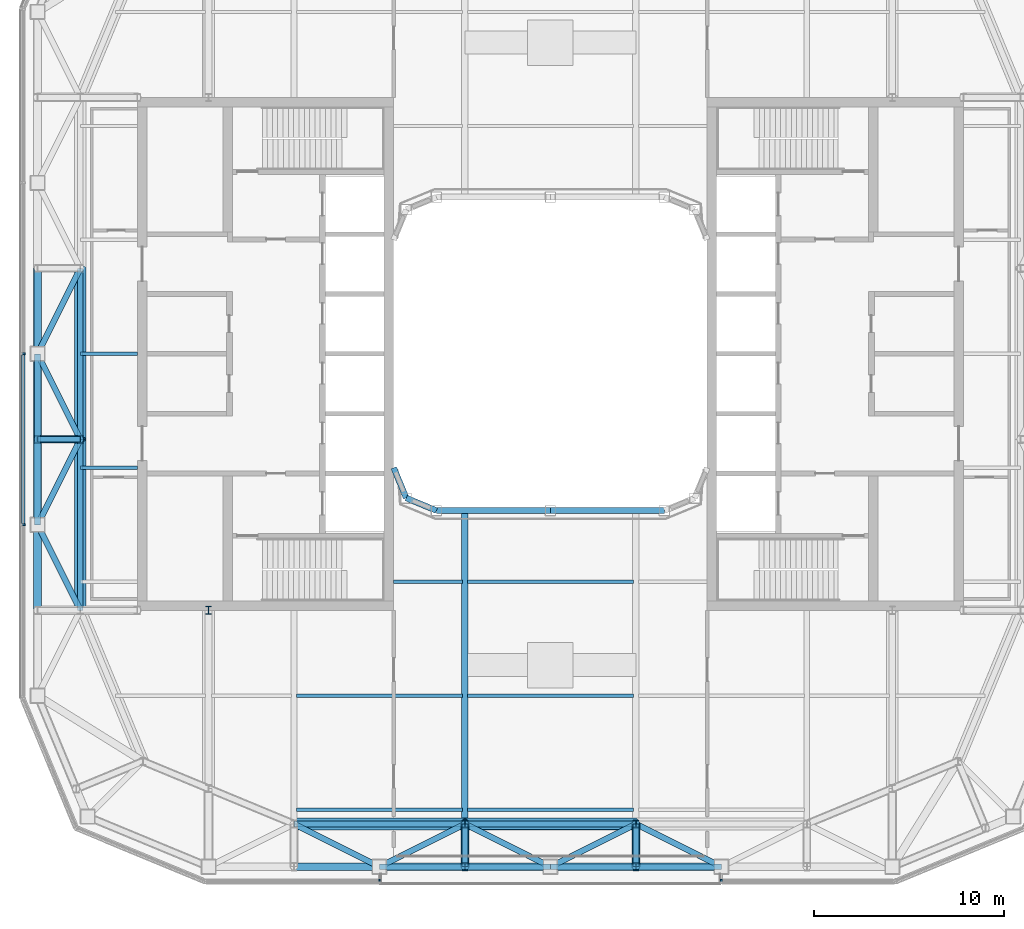
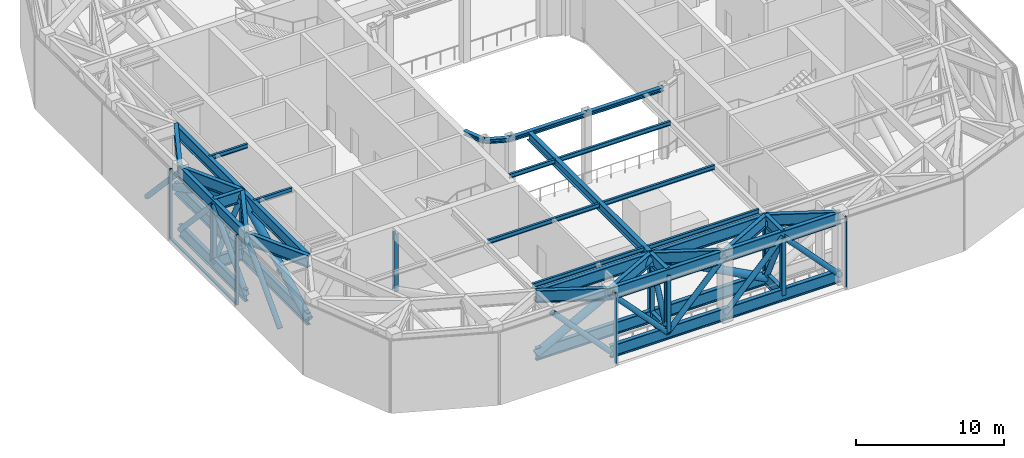
# One storey, part 3 of 21: 42 beams, 28 members, 3 elements without a shape of their own.
"""IFC4 building model written with IfcOpenShell, lengths in metres."""

from ifc_helpers import new_model, si_unit, direction, frame, origin, origin_2d, place, context, subcontext, project, spatial, rectangle, hollow_circle, i_section, extrude, material, layer, layer_set, material_profile, profile_set, type_object, element, aggregate, save


model = new_model("IFC4")

# Units and contexts
model_context = context("Model", 3, precision=1e-05, world=origin(), true_north=direction((0.0, 1.0)))
body_context = subcontext(model_context, "Body", "Model", "MODEL_VIEW")
ifc_project = project(units=[si_unit("LENGTHUNIT", "METRE"), si_unit("AREAUNIT", "SQUARE_METRE"), si_unit("VOLUMEUNIT", "CUBIC_METRE"), si_unit("PLANEANGLEUNIT", "RADIAN"), si_unit("MASSUNIT", "GRAM", prefix="KILO")], contexts=[model_context])

# Site, building, storey
site_placement = place(None, origin())
site = spatial("IfcSite", under=ifc_project, at=site_placement, CompositionType="ELEMENT")
building_placement = place(site_placement, origin())
building = spatial("IfcBuilding", under=site, at=building_placement, Name="Siwar Civic Tower", CompositionType="ELEMENT")
storey_placement = place(building_placement, frame((0.0, 0.0, 278.199951171875)))
storey = spatial("IfcBuildingStorey", under=building, at=storey_placement, Name="L60", CompositionType="ELEMENT", Elevation=278.199951171875)

# Curtain wall, member
ifc_material_1 = material(Name="Aluminium and glass", Category="aluminium")
ifc_layer = layer(ifc_material_1, 0.199951171875)
ifc_layer_set = layer_set([ifc_layer], Name="Aluminium and glass")
curtain_wall_type = type_object("IfcCurtainWallType", Name="ENV-CW-P", PredefinedType="NOTDEFINED", material=ifc_layer_set)
curtain_wall_1_placement = place(storey_placement, origin())
curtain_wall_1 = element("IfcCurtainWall", 1, at=curtain_wall_1_placement, inside=storey, type_object=curtain_wall_type, Name="Curtain wall P S-00", PredefinedType="NOTDEFINED")
ifc_material_2 = material(Name="Aluminium 6063-T6", Category="aluminium")
ifc_material_profile_1 = material_profile(ifc_material_2, rectangle(XDim=0.199951171875, YDim=0.10009765625, at=origin_2d()), Name="AL 200x100")
ifc_profile_set_1 = profile_set([ifc_material_profile_1], Name="Aluminium 6063-T6")
member_type_1 = type_object("IfcMemberType", Name="ENV-MULLION-P", PredefinedType="MULLION", material=ifc_profile_set_1)
member_1_placement = place(storey_placement, frame((-9.0, -27.75, 0.0), z_axis=(0.0, 0.0, 1.0), x_axis=(0.0, 1.0, 0.0)))
member_1 = element("IfcMember", 2, at=member_1_placement, type_object=member_type_1, Name="Mullion P S-00 2", PredefinedType="MULLION", context=body_context, shape_type="SweptSolid", body=[
    extrude(rectangle(XDim=0.199951171875, YDim=0.10009765625, at=origin_2d()), origin(), (0.0, 0.0, 1.0), 5.800048828125),
])
aggregate(curtain_wall_1, [member_1])

curtain_wall_2_placement = place(storey_placement, origin())
curtain_wall_2 = element("IfcCurtainWall", 3, at=curtain_wall_2_placement, inside=storey, type_object=curtain_wall_type, Name="Curtain wall P S-03", PredefinedType="NOTDEFINED")
member_2_placement = place(storey_placement, frame((9.0, -27.75, 0.0), z_axis=(0.0, 0.0, 1.0), x_axis=(0.0, 1.0, 0.0)))
member_2 = element("IfcMember", 4, at=member_2_placement, type_object=member_type_1, Name="Mullion P S-03 1", PredefinedType="MULLION", context=body_context, shape_type="SweptSolid", body=[
    extrude(rectangle(XDim=0.199951171875, YDim=0.10009765625, at=origin_2d()), origin(), (0.0, 0.0, 1.0), 5.800048828125),
])
aggregate(curtain_wall_2, [member_2])

# Curtain wall, members
curtain_wall_3_placement = place(storey_placement, origin())
curtain_wall_3 = element("IfcCurtainWall", 5, at=curtain_wall_3_placement, inside=storey, type_object=curtain_wall_type, Name="Curtain wall P W", PredefinedType="NOTDEFINED")
member_3_placement = place(storey_placement, frame((-27.75, 0.0, 0.0), z_axis=(0.0, 0.0, 1.0), x_axis=(1.0, 0.0, 0.0)))
member_3 = element("IfcMember", 6, at=member_3_placement, type_object=member_type_1, Name="Mullion P W 3", PredefinedType="MULLION", context=body_context, shape_type="SweptSolid", body=[
    extrude(rectangle(XDim=0.199951171875, YDim=0.10009765625, at=origin_2d()), origin(), (0.0, 0.0, 1.0), 5.800048828125),
])
member_4_placement = place(storey_placement, frame((-27.75, -9.0, 0.0), z_axis=(0.0, 0.0, 1.0), x_axis=(1.0, 0.0, 0.0)))
member_4 = element("IfcMember", 7, at=member_4_placement, type_object=member_type_1, Name="Mullion P W 4", PredefinedType="MULLION", context=body_context, shape_type="SweptSolid", body=[
    extrude(rectangle(XDim=0.199951171875, YDim=0.10009765625, at=origin_2d()), origin(), (0.0, 0.0, 1.0), 5.800048828125),
])
ifc_material_3 = material(Name="Aluminium 6063-T6", Category="aluminium")
ifc_material_profile_2 = material_profile(ifc_material_3, rectangle(XDim=0.199951171875, YDim=0.1201171875, at=origin_2d()), Name="AL 200x120")
ifc_profile_set_2 = profile_set([ifc_material_profile_2], Name="Aluminium 6063-T6")
member_type_2 = type_object("IfcMemberType", Name="ENV-TRANSOM-P", PredefinedType="USERDEFINED", material=ifc_profile_set_2)
member_5_placement = place(storey_placement, frame((-27.75, -0.050048828125, 0.06005859375), z_axis=(0.0, -1.0, 0.0), x_axis=(1.0, 0.0, 0.0)))
member_5 = element("IfcMember", 8, at=member_5_placement, type_object=member_type_2, Name="Transom P W 3", ObjectType="TRANSOM", PredefinedType="USERDEFINED", context=body_context, shape_type="SweptSolid", body=[
    extrude(rectangle(XDim=0.199951171875, YDim=0.1201171875, at=origin_2d()), origin(), (0.0, 0.0, 1.0), 8.89990234375),
])
aggregate(curtain_wall_3, [member_3, member_4, member_5])

# Beams
ifc_material_4 = material(Name="Steel S460", Category="steel")
ifc_material_profile_3 = material_profile(ifc_material_4, i_section(OverallWidth=0.302001953125, OverallDepth=1.008056640625, WebThickness=0.02099609375, FlangeThickness=0.0400390625, FilletRadius=0.030029296875, at=origin_2d()), Name="HEM1000")
ifc_profile_set_3 = profile_set([ifc_material_profile_3], Name="Steel S460")
beam_type_1 = type_object("IfcBeamType", Name="STR-BELT-TRUSS-CHORD-HEM1000", PredefinedType="BEAM", material=ifc_profile_set_3)
for number, where, z_axis, x_axis, name in (
    (9, (-13.5, -24.75, 0.504150390625), (1.0, 0.0, 0.0), (0.0, 1.0, 0.0), "Belt truss chord"),
    (10, (-13.5, -24.75, 5.296142578125), (1.0, 0.0, 0.0), (0.0, 1.0, 0.0), "Belt truss chord"),
    (11, (-4.5, -24.75, 0.504150390625), (1.0, 0.0, 0.0), (0.0, 1.0, 0.0), "Belt truss chord"),
    (12, (-4.5, -24.75, 5.296142578125), (1.0, 0.0, 0.0), (0.0, 1.0, 0.0), "Belt truss chord"),
    (13, (-24.75, 4.5, 0.504150390625), (0.0, -1.0, 0.0), (1.0, 0.0, 0.0), "Belt truss chord"),
    (14, (-24.75, 4.5, 5.296142578125), (0.0, -1.0, 0.0), (1.0, 0.0, 0.0), "Belt truss chord"),
    (15, (-24.75, -4.5, 0.504150390625), (0.0, -1.0, 0.0), (1.0, 0.0, 0.0), "Belt truss chord"),
    (16, (-24.75, -4.5, 5.296142578125), (0.0, -1.0, 0.0), (1.0, 0.0, 0.0), "Belt truss chord"),
    (17, (-9.0, -27.0, 0.504150390625), (1.0, 0.0, 0.0), (0.0, 1.0, 0.0), "Belt truss chord"),
    (18, (-9.0, -27.0, 5.296142578125), (1.0, 0.0, 0.0), (0.0, 1.0, 0.0), "Belt truss chord"),
    (19, (0.0, -27.0, 0.504150390625), (1.0, 0.0, 0.0), (0.0, 1.0, 0.0), "Belt truss chord"),
    (20, (0.0, -27.0, 5.296142578125), (1.0, 0.0, 0.0), (0.0, 1.0, 0.0), "Belt truss chord"),
    (21, (-27.0, 0.0, 0.504150390625), (0.0, -1.0, 0.0), (1.0, 0.0, 0.0), "Belt truss chord"),
    (22, (-27.0, 0.0, 5.296142578125), (0.0, -1.0, 0.0), (1.0, 0.0, 0.0), "Belt truss chord"),
):
    element("IfcBeam", number, at=place(storey_placement, frame(where, z_axis=z_axis, x_axis=x_axis)), inside=storey, type_object=beam_type_1, Name=name, PredefinedType="BEAM", context=body_context, shape_type="SweptSolid", body=[
        extrude(i_section(OverallWidth=0.302001953125, OverallDepth=1.008056640625, WebThickness=0.02099609375, FlangeThickness=0.0400390625, FilletRadius=0.030029296875, at=origin_2d()), origin(), (0.0, 0.0, 1.0), 9.0),
    ])

# Members
ifc_material_5 = material(Name="Steel S355", Category="steel")
ifc_material_profile_4 = material_profile(ifc_material_5, hollow_circle(Radius=0.203125, WallThickness=0.01611328125, at=origin_2d()), Name="CHS406.4x16")
ifc_profile_set_4 = profile_set([ifc_material_profile_4], Name="Steel S355")
member_type_3 = type_object("IfcMemberType", Name="STR-BELT-TRUSS-DIAGONAL-CHS406.4x16", PredefinedType="BRACE", material=ifc_profile_set_4)
for number, where, z_axis, x_axis, name in (
    (23, (-8.99658203125, -27.0, 0.50048828125), (-0.684545317859, 0.0, 0.728970306526), (0.0, -1.0, 0.0), "Belt truss diagonal"),
    (24, (-4.49658203125, -27.0, 0.50048828125), (-0.684545317859, 0.0, 0.728970306526), (0.0, -1.0, 0.0), "Belt truss diagonal"),
    (25, (-4.50341796875, -27.0, 0.50048828125), (0.684545317859, 0.0, 0.728970306526), (0.0, 1.0, 0.0), "Belt truss diagonal"),
    (26, (-0.00341796875, -27.0, 0.50048828125), (0.684545317859, 0.0, 0.728970306526), (0.0, 1.0, 0.0), "Belt truss diagonal"),
    (27, (9.00341796875, -27.0, 0.50048828125), (-0.684545317859, 0.0, 0.728970306526), (0.0, -1.0, 0.0), "Belt truss diagonal"),
    (28, (-27.0, 4.50341796875, 0.50048828125), (0.0, -0.684545317859, 0.728970306526), (1.0, 0.0, 0.0), "Belt truss diagonal"),
    (29, (-27.0, 0.00341796875, 0.50048828125), (0.0, -0.684545317859, 0.728970306526), (1.0, 0.0, 0.0), "Belt truss diagonal"),
    (30, (-27.0, -9.00341796875, 0.50048828125), (0.0, 0.684545317859, 0.728970306526), (-1.0, 0.0, 0.0), "Belt truss diagonal"),
    (31, (-27.0, -13.50341796875, 0.50048828125), (0.0, 0.684545317859, 0.728970306526), (-1.0, 0.0, 0.0), "Belt truss diagonal"),
):
    element("IfcMember", number, at=place(storey_placement, frame(where, z_axis=z_axis, x_axis=x_axis)), inside=storey, type_object=member_type_3, Name=name, PredefinedType="BRACE", context=body_context, shape_type="SweptSolid", body=[
        extrude(hollow_circle(Radius=0.203125, WallThickness=0.01611328125, at=origin_2d()), origin(), (0.0, 0.0, 1.0), 6.583740234375),
    ])
for number, where, z_axis, x_axis, name in (
    (32, (-4.5, -27.002197265625, 0.49951171875), (0.0, 0.425038765055, 0.905175147803), (-1.0, 0.0, 0.0), "Belt truss diagonal"),
    (33, (4.5, -24.747802734375, 0.49951171875), (0.0, -0.425038765055, 0.905175147803), (1.0, 0.0, 0.0), "Belt truss diagonal"),
    (34, (-27.002197265625, -4.5, 0.49951171875), (0.425038765055, 0.0, 0.905175147803), (0.0, 1.0, 0.0), "Belt truss diagonal"),
):
    element("IfcMember", number, at=place(storey_placement, frame(where, z_axis=z_axis, x_axis=x_axis)), inside=storey, type_object=member_type_3, Name=name, PredefinedType="BRACE", context=body_context, shape_type="SweptSolid", body=[
        extrude(hollow_circle(Radius=0.203125, WallThickness=0.01611328125, at=origin_2d()), origin(), (0.0, 0.0, 1.0), 5.303955078125),
    ])
ifc_material_6 = material(Name="Steel S355", Category="steel")
ifc_material_profile_5 = material_profile(ifc_material_6, hollow_circle(Radius=0.304931640625, WallThickness=0.030029296875, at=origin_2d()), Name="CHS610x30")
ifc_profile_set_5 = profile_set([ifc_material_profile_5], Name="Steel S355")
member_type_4 = type_object("IfcMemberType", Name="STR-BELT-TRUSS-DIAGONAL-CHS610x30", PredefinedType="BRACE", material=ifc_profile_set_5)
for number, where, z_axis, x_axis, name in (
    (35, (-13.50439453125, -24.75, 0.501708984375), (0.882680501151, 0.0, 0.469973544881), (0.0, 1.0, 0.0), "Belt truss diagonal"),
    (36, (4.50439453125, -24.75, 0.501708984375), (-0.882680501151, 0.0, 0.469973544881), (0.0, -1.0, 0.0), "Belt truss diagonal"),
    (37, (-24.75, 4.50439453125, 0.501708984375), (0.0, -0.882680501151, 0.469973544881), (1.0, 0.0, 0.0), "Belt truss diagonal"),
    (38, (-24.75, -13.50439453125, 0.501708984375), (0.0, 0.882680501151, 0.469973544881), (-1.0, 0.0, 0.0), "Belt truss diagonal"),
):
    element("IfcMember", number, at=place(storey_placement, frame(where, z_axis=z_axis, x_axis=x_axis)), inside=storey, type_object=member_type_4, Name=name, PredefinedType="BRACE", context=body_context, shape_type="SweptSolid", body=[
        extrude(hollow_circle(Radius=0.304931640625, WallThickness=0.030029296875, at=origin_2d()), origin(), (0.0, 0.0, 1.0), 10.2060546875),
    ])

# Beams
ifc_material_7 = material(Name="Steel S460", Category="steel")
ifc_material_profile_6 = material_profile(ifc_material_7, i_section(OverallWidth=0.302001953125, OverallDepth=1.008056640625, WebThickness=0.02099609375, FlangeThickness=0.0400390625, FilletRadius=0.030029296875, at=origin_2d()), Name="HEM1000")
ifc_profile_set_6 = profile_set([ifc_material_profile_6], Name="Steel S460")
beam_type_2 = type_object("IfcBeamType", Name="STR-BELT-TRUSS-LADDER-CHORD-HEM1000", PredefinedType="BEAM", material=ifc_profile_set_6)
for number, where, z_axis, x_axis, name in (
    (39, (-4.5, -24.75, 0.504150390625), (0.0, -1.0, 0.0), (1.0, 0.0, 0.0), "Belt truss ladder chord"),
    (40, (-4.5, -24.75, 5.296142578125), (0.0, -1.0, 0.0), (1.0, 0.0, 0.0), "Belt truss ladder chord"),
    (41, (4.5, -24.75, 0.504150390625), (0.0, -1.0, 0.0), (1.0, 0.0, 0.0), "Belt truss ladder chord"),
    (42, (4.5, -24.75, 5.296142578125), (0.0, -1.0, 0.0), (1.0, 0.0, 0.0), "Belt truss ladder chord"),
    (43, (-24.75, -4.5, 0.504150390625), (-1.0, 0.0, 0.0), (0.0, -1.0, 0.0), "Belt truss ladder chord"),
    (44, (-24.75, -4.5, 5.296142578125), (-1.0, 0.0, 0.0), (0.0, -1.0, 0.0), "Belt truss ladder chord"),
):
    element("IfcBeam", number, at=place(storey_placement, frame(where, z_axis=z_axis, x_axis=x_axis)), inside=storey, type_object=beam_type_2, Name=name, PredefinedType="BEAM", context=body_context, shape_type="SweptSolid", body=[
        extrude(i_section(OverallWidth=0.302001953125, OverallDepth=1.008056640625, WebThickness=0.02099609375, FlangeThickness=0.0400390625, FilletRadius=0.030029296875, at=origin_2d()), origin(), (0.0, 0.0, 1.0), 2.25),
    ])

# Members
ifc_material_8 = material(Name="Steel S355", Category="steel")
ifc_material_profile_7 = material_profile(ifc_material_8, i_section(OverallWidth=0.300048828125, OverallDepth=0.39990234375, WebThickness=0.013427734375, FlangeThickness=0.02392578125, FilletRadius=0.027099609375, at=origin_2d()), Name="HEB400")
ifc_profile_set_7 = profile_set([ifc_material_profile_7], Name="Steel S355")
member_type_5 = type_object("IfcMemberType", Name="STR-BELT-TRUSS-POST-HEB400", PredefinedType="POST", material=ifc_profile_set_7)
for number, where, z_axis, x_axis, name in (
    (45, (-27.0, -4.5, 0.504150390625), (0.0, 0.0, 1.0), (1.0, 0.0, 0.0), "Belt truss post"),
    (46, (-24.75, -4.5, 0.504150390625), (0.0, 0.0, 1.0), (1.0, 0.0, 0.0), "Belt truss post"),
    (47, (-4.5, -27.0, 0.504150390625), (0.0, 0.0, 1.0), (1.0, 0.0, 0.0), "Belt truss post"),
    (48, (-4.5, -24.75, 0.504150390625), (0.0, 0.0, 1.0), (1.0, 0.0, 0.0), "Belt truss post"),
    (49, (4.5, -27.0, 0.504150390625), (0.0, 0.0, 1.0), (1.0, 0.0, 0.0), "Belt truss post"),
    (50, (4.5, -24.75, 0.504150390625), (0.0, 0.0, 1.0), (1.0, 0.0, 0.0), "Belt truss post"),
):
    element("IfcMember", number, at=place(storey_placement, frame(where, z_axis=z_axis, x_axis=x_axis)), inside=storey, type_object=member_type_5, Name=name, PredefinedType="POST", context=body_context, shape_type="SweptSolid", body=[
        extrude(i_section(OverallWidth=0.300048828125, OverallDepth=0.39990234375, WebThickness=0.013427734375, FlangeThickness=0.02392578125, FilletRadius=0.027099609375, at=origin_2d()), origin(), (0.0, 0.0, 1.0), 4.7919921875),
    ])

# Beams
ifc_material_9 = material(Name="Steel S355", Category="steel")
ifc_material_profile_8 = material_profile(ifc_material_9, i_section(OverallWidth=0.169921875, OverallDepth=0.360107421875, WebThickness=0.008056640625, FlangeThickness=0.0126953125, FilletRadius=0.01806640625, at=origin_2d()), Name="IPE360")
ifc_profile_set_8 = profile_set([ifc_material_profile_8], Name="Steel S355")
beam_type_3 = type_object("IfcBeamType", Name="STR-FB-IPE360", PredefinedType="JOIST", material=ifc_profile_set_8)
for number, where, z_axis, x_axis, name in (
    (51, (-13.3701171875, -24.0, 5.6201171875), (1.0, 0.0, 0.0), (0.0, 1.0, 0.0), "L60/bm/F001"),
    (52, (-4.3701171875, -24.0, 5.6201171875), (1.0, 0.0, 0.0), (0.0, 1.0, 0.0), "L60/bm/F002"),
    (53, (-13.3701171875, -18.0, 5.6201171875), (1.0, 0.0, 0.0), (0.0, 1.0, 0.0), "L60/bm/F006"),
    (54, (-4.3701171875, -18.0, 5.6201171875), (1.0, 0.0, 0.0), (0.0, 1.0, 0.0), "L60/bm/F007"),
):
    element("IfcBeam", number, at=place(storey_placement, frame(where, z_axis=z_axis, x_axis=x_axis)), inside=storey, type_object=beam_type_3, Name=name, PredefinedType="JOIST", context=body_context, shape_type="SweptSolid", body=[
        extrude(i_section(OverallWidth=0.169921875, OverallDepth=0.360107421875, WebThickness=0.008056640625, FlangeThickness=0.0126953125, FilletRadius=0.01806640625, at=origin_2d()), origin(), (0.0, 0.0, 1.0), 8.740234375),
    ])
beam_1_placement = place(storey_placement, frame((-8.25, -12.0, 5.6201171875), z_axis=(1.0, 0.0, 0.0), x_axis=(0.0, 1.0, 0.0)))
element("IfcBeam", 55, at=beam_1_placement, inside=storey, type_object=beam_type_3, Name="L60/bm/F012", PredefinedType="JOIST", context=body_context, shape_type="SweptSolid", body=[
    extrude(i_section(OverallWidth=0.169921875, OverallDepth=0.360107421875, WebThickness=0.008056640625, FlangeThickness=0.0126953125, FilletRadius=0.01806640625, at=origin_2d()), origin(), (0.0, 0.0, 1.0), 3.6201171875),
])
beam_2_placement = place(storey_placement, frame((-4.3701171875, -12.0, 5.6201171875), z_axis=(1.0, 0.0, 0.0), x_axis=(0.0, 1.0, 0.0)))
element("IfcBeam", 56, at=beam_2_placement, inside=storey, type_object=beam_type_3, Name="L60/bm/F013", PredefinedType="JOIST", context=body_context, shape_type="SweptSolid", body=[
    extrude(i_section(OverallWidth=0.169921875, OverallDepth=0.360107421875, WebThickness=0.008056640625, FlangeThickness=0.0126953125, FilletRadius=0.01806640625, at=origin_2d()), origin(), (0.0, 0.0, 1.0), 8.740234375),
])
for number, where, z_axis, x_axis, name in (
    (57, (-24.75, -6.0, 5.6201171875), (1.0, 0.0, 0.0), (0.0, 1.0, 0.0), "L60/bm/F016"),
    (58, (-24.75, 0.0, 5.6201171875), (1.0, 0.0, 0.0), (0.0, 1.0, 0.0), "L60/bm/F018"),
):
    element("IfcBeam", number, at=place(storey_placement, frame(where, z_axis=z_axis, x_axis=x_axis)), inside=storey, type_object=beam_type_3, Name=name, PredefinedType="JOIST", context=body_context, shape_type="SweptSolid", body=[
        extrude(i_section(OverallWidth=0.169921875, OverallDepth=0.360107421875, WebThickness=0.008056640625, FlangeThickness=0.0126953125, FilletRadius=0.01806640625, at=origin_2d()), origin(), (0.0, 0.0, 1.0), 3.0),
    ])

# Member
ifc_material_10 = material(Name="Steel S355", Category="steel")
ifc_material_profile_9 = material_profile(ifc_material_10, i_section(OverallWidth=0.300048828125, OverallDepth=0.39990234375, WebThickness=0.013427734375, FlangeThickness=0.02392578125, FilletRadius=0.027099609375, at=origin_2d()), Name="HEB400")
ifc_profile_set_9 = profile_set([ifc_material_profile_9], Name="Steel S355")
member_type_6 = type_object("IfcMemberType", Name="STR-OUTRIGGER-TRUSS-POST-HEB400", PredefinedType="POST", material=ifc_profile_set_9)
member_6_placement = place(storey_placement, frame((-18.0, -13.5, 0.504150390625), z_axis=(0.0, 0.0, 1.0), x_axis=(1.0, 0.0, 0.0)))
element("IfcMember", 59, at=member_6_placement, inside=storey, type_object=member_type_6, Name="Outrigger truss post", PredefinedType="POST", context=body_context, shape_type="SweptSolid", body=[
    extrude(i_section(OverallWidth=0.300048828125, OverallDepth=0.39990234375, WebThickness=0.013427734375, FlangeThickness=0.02392578125, FilletRadius=0.027099609375, at=origin_2d()), origin(), (0.0, 0.0, 1.0), 4.7919921875),
])

# Beams
ifc_material_11 = material(Name="Steel S355", Category="steel")
ifc_material_profile_10 = material_profile(ifc_material_11, i_section(OverallWidth=0.340087890625, OverallDepth=0.699951171875, WebThickness=0.013916015625, FlangeThickness=0.030029296875, at=origin_2d()), Name="PG700x340x14x30")
ifc_profile_set_10 = profile_set([ifc_material_profile_10], Name="Steel S355")
beam_type_4 = type_object("IfcBeamType", Name="STR-PG-PG700x340x14x30", PredefinedType="BEAM", material=ifc_profile_set_10)
beam_3_placement = place(storey_placement, frame((-4.5, -24.75, 5.449951171875), z_axis=(0.0, 1.0, 0.0), x_axis=(-1.0, 0.0, 0.0)))
element("IfcBeam", 60, at=beam_3_placement, inside=storey, type_object=beam_type_4, Name="L60/bm/G03", PredefinedType="BEAM", context=body_context, shape_type="SweptSolid", body=[
    extrude(i_section(OverallWidth=0.340087890625, OverallDepth=0.699951171875, WebThickness=0.013916015625, FlangeThickness=0.030029296875, at=origin_2d()), origin(), (0.0, 0.0, 1.0), 16.5),
])
ifc_material_12 = material(Name="Steel S355", Category="steel")
ifc_material_profile_11 = material_profile(ifc_material_12, i_section(OverallWidth=0.31005859375, OverallDepth=0.340087890625, WebThickness=0.02099609375, FlangeThickness=0.0390625, FilletRadius=0.027099609375, at=origin_2d()), Name="HEM300")
ifc_profile_set_11 = profile_set([ifc_material_profile_11], Name="Steel S355")
beam_type_5 = type_object("IfcBeamType", Name="STR-RB-HEM300", PredefinedType="BEAM", material=ifc_profile_set_11)
beam_4_placement = place(storey_placement, frame((-7.591064453125, -7.591064453125, 5.630126953125), z_axis=(0.923901072997, -0.382631424892, 0.0), x_axis=(0.382631424892, 0.923901072997, 0.0)))
element("IfcBeam", 61, at=beam_4_placement, inside=storey, type_object=beam_type_5, Name="L60/bm/RS0", PredefinedType="BEAM", context=body_context, shape_type="SweptSolid", body=[
    extrude(i_section(OverallWidth=0.31005859375, OverallDepth=0.340087890625, WebThickness=0.02099609375, FlangeThickness=0.0390625, FilletRadius=0.027099609375, at=origin_2d()), origin(), (0.0, 0.0, 1.0), 1.72216796875),
])
for number, where, z_axis, x_axis, name in (
    (62, (-6.0, -8.25, 5.630126953125), (1.0, 0.0, 0.0), (0.0, 1.0, 0.0), "L60/bm/RS1"),
    (63, (0.0, -8.25, 5.630126953125), (1.0, 0.0, 0.0), (0.0, 1.0, 0.0), "L60/bm/RS2"),
):
    element("IfcBeam", number, at=place(storey_placement, frame(where, z_axis=z_axis, x_axis=x_axis)), inside=storey, type_object=beam_type_5, Name=name, PredefinedType="BEAM", context=body_context, shape_type="SweptSolid", body=[
        extrude(i_section(OverallWidth=0.31005859375, OverallDepth=0.340087890625, WebThickness=0.02099609375, FlangeThickness=0.0390625, FilletRadius=0.027099609375, at=origin_2d()), origin(), (0.0, 0.0, 1.0), 6.0),
    ])
beam_5_placement = place(storey_placement, frame((-7.591064453125, -7.591064453125, 5.630126953125), z_axis=(-0.382631424892, 0.923901072997, 0.0), x_axis=(-0.923901072997, -0.382631424892, 0.0)))
element("IfcBeam", 64, at=beam_5_placement, inside=storey, type_object=beam_type_5, Name="L60/bm/RSEW", PredefinedType="BEAM", context=body_context, shape_type="SweptSolid", body=[
    extrude(i_section(OverallWidth=0.31005859375, OverallDepth=0.340087890625, WebThickness=0.02099609375, FlangeThickness=0.0390625, FilletRadius=0.027099609375, at=origin_2d()), origin(), (0.0, 0.0, 1.0), 1.72216796875),
])
ifc_material_13 = material(Name="Steel S460", Category="steel")
ifc_material_profile_12 = material_profile(ifc_material_13, i_section(OverallWidth=0.302001953125, OverallDepth=1.008056640625, WebThickness=0.02099609375, FlangeThickness=0.0400390625, FilletRadius=0.030029296875, at=origin_2d()), Name="HEM1000")
ifc_profile_set_12 = profile_set([ifc_material_profile_12], Name="Steel S460")
beam_type_6 = type_object("IfcBeamType", Name="STR-TRANSFER-GIRDER-HEM1000", PredefinedType="BEAM", material=ifc_profile_set_12)
for number, where, z_axis, x_axis, name in (
    (65, (-13.5, -24.75, 5.296142578125), (0.894427191, -0.4472135955, 0.0), (0.4472135955, 0.894427191, 0.0), "Transfer girder"),
    (66, (-4.5, -24.75, 5.296142578125), (-0.894427191, -0.4472135955, 0.0), (0.4472135955, -0.894427191, 0.0), "Transfer girder"),
    (67, (-4.5, -24.75, 5.296142578125), (0.894427191, -0.4472135955, 0.0), (0.4472135955, 0.894427191, 0.0), "Transfer girder"),
    (68, (4.5, -24.75, 5.296142578125), (-0.894427191, -0.4472135955, 0.0), (0.4472135955, -0.894427191, 0.0), "Transfer girder"),
    (69, (4.5, -24.75, 5.296142578125), (0.894427191, -0.4472135955, 0.0), (0.4472135955, 0.894427191, 0.0), "Transfer girder"),
    (70, (-24.75, 4.5, 5.296142578125), (-0.4472135955, -0.894427191, 0.0), (0.894427191, -0.4472135955, 0.0), "Transfer girder"),
    (71, (-24.75, -4.5, 5.296142578125), (-0.4472135955, -0.894427191, 0.0), (0.894427191, -0.4472135955, 0.0), "Transfer girder"),
    (72, (-24.75, -4.5, 5.296142578125), (-0.4472135955, 0.894427191, 0.0), (-0.894427191, -0.4472135955, 0.0), "Transfer girder"),
    (73, (-24.75, -13.5, 5.296142578125), (-0.4472135955, 0.894427191, 0.0), (-0.894427191, -0.4472135955, 0.0), "Transfer girder"),
):
    element("IfcBeam", number, at=place(storey_placement, frame(where, z_axis=z_axis, x_axis=x_axis)), inside=storey, type_object=beam_type_6, Name=name, PredefinedType="BEAM", context=body_context, shape_type="SweptSolid", body=[
        extrude(i_section(OverallWidth=0.302001953125, OverallDepth=1.008056640625, WebThickness=0.02099609375, FlangeThickness=0.0400390625, FilletRadius=0.030029296875, at=origin_2d()), origin(), (0.0, 0.0, 1.0), 5.03125),
    ])

save(model, "model.ifc")
